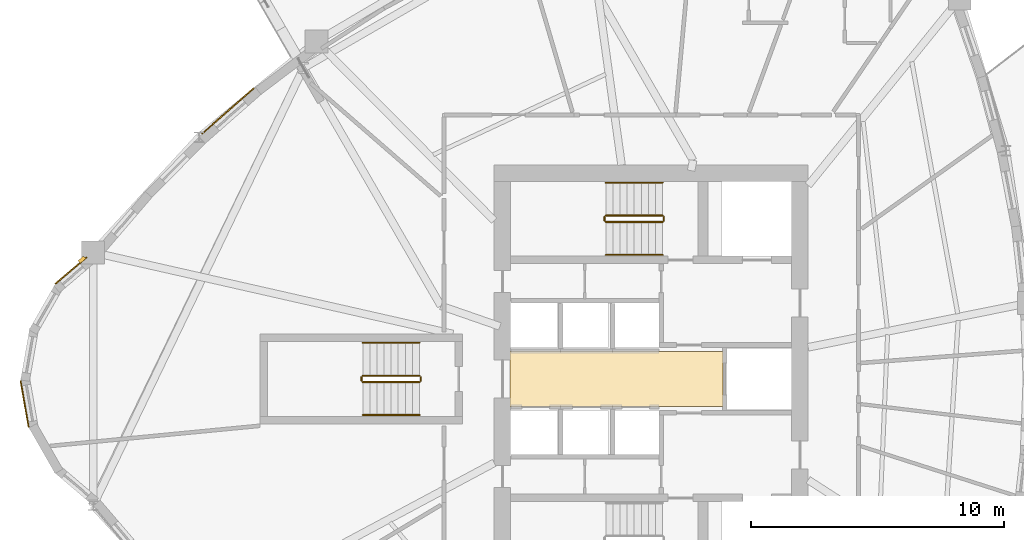
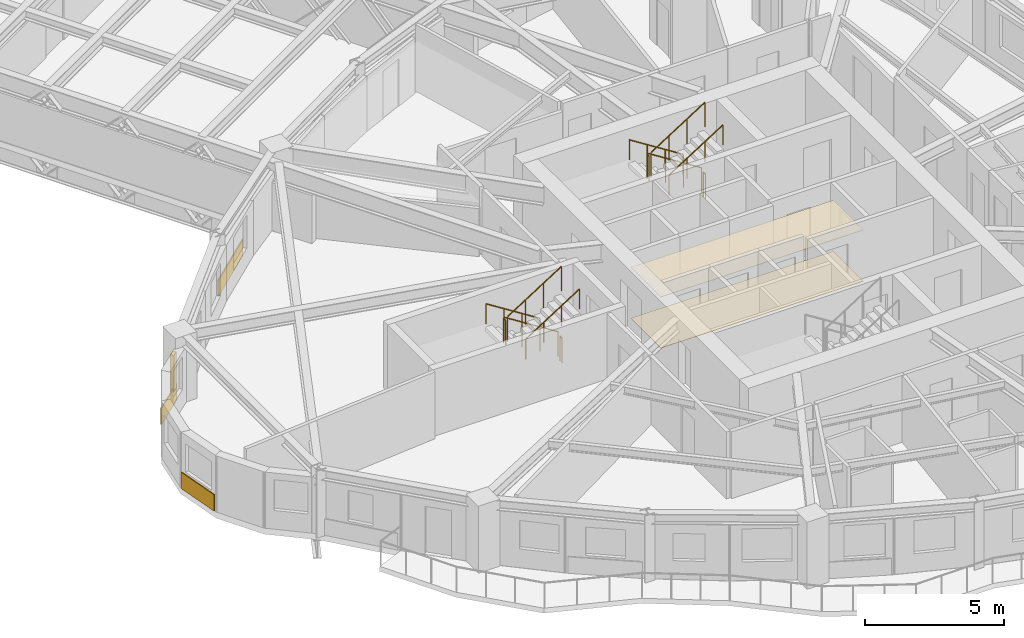
# One storey, part 14 of 16: 12 railings, 5 coverings, 1 shading device.
"""IFC4 building model written with IfcOpenShell, lengths in metres."""

from ifc_helpers import new_model, si_unit, direction, frame, origin, origin_2d, place, context, subcontext, project, spatial, polyline, rectangle, circle, outline, extrude, source, transform, mapped, material, layer, layer_set, type_object, element, save


model = new_model("IFC4")

# Units and contexts
model_context = context("Model", 3, precision=1e-05, world=origin(), true_north=direction((0.0, 1.0)))
body_context = subcontext(model_context, "Body", "Model", "MODEL_VIEW")
ifc_project = project(units=[si_unit("LENGTHUNIT", "METRE"), si_unit("AREAUNIT", "SQUARE_METRE"), si_unit("VOLUMEUNIT", "CUBIC_METRE"), si_unit("PLANEANGLEUNIT", "RADIAN"), si_unit("MASSUNIT", "GRAM", prefix="KILO")], contexts=[model_context])

# Site, building, storey
site_placement = place(None, origin())
site = spatial("IfcSite", under=ifc_project, at=site_placement, CompositionType="ELEMENT")
building_placement = place(site_placement, origin())
building = spatial("IfcBuilding", under=site, at=building_placement, Name="Qafzar Sky-Pleat Residences", CompositionType="ELEMENT")
storey_placement = place(building_placement, frame((0.0, 0.0, 80.0)))
storey = spatial("IfcBuildingStorey", under=building, at=storey_placement, Name="L23", CompositionType="ELEMENT", Elevation=80.0)

# Coverings
ifc_material_1 = material(Name="Perforated acoustic gypsum board ceiling")
ifc_layer_1 = layer(ifc_material_1, 0.02001953125)
ifc_layer_set_1 = layer_set([ifc_layer_1], Name="Perforated acoustic gypsum board ceiling")
covering_type_1 = type_object("IfcCoveringType", Name="COV-CEIL-ACOUSTIC", PredefinedType="CEILING", material=ifc_layer_set_1)
covering_1_placement = place(storey_placement, frame((0.0, 0.0, 2.239990234375)))
element("IfcCovering", 1, at=covering_1_placement, inside=storey, type_object=covering_type_1, Name="L23 Passenger Lift Lobby Acoustic Ceiling", PredefinedType="CEILING", context=body_context, shape_type="SweptSolid", body=[
    extrude(outline(polyline([(33.179931640625, 24.919921875), (24.77001953125, 24.919921875), (24.77001953125, 27.080078125), (33.179931640625, 27.080078125), (33.179931640625, 24.919921875)])), origin(), (0.0, 0.0, 1.0), 0.02001953125),
])
ifc_material_2 = material(Name="Honed porcelain and Riyadh stone tile flooring", Category="masonry")
ifc_layer_2 = layer(ifc_material_2, 0.02001953125)
ifc_layer_set_2 = layer_set([ifc_layer_2], Name="Honed porcelain and Riyadh stone tile flooring")
covering_type_2 = type_object("IfcCoveringType", Name="COV-FLR-PORCELAIN", PredefinedType="FLOORING", material=ifc_layer_set_2)
covering_2_placement = place(storey_placement, origin())
element("IfcCovering", 2, at=covering_2_placement, inside=storey, type_object=covering_type_2, Name="L23 Passenger Lift Lobby Honed Stone Flooring", PredefinedType="FLOORING", context=body_context, shape_type="SweptSolid", body=[
    extrude(outline(polyline([(33.179931640625, 24.919921875), (24.77001953125, 24.919921875), (24.77001953125, 27.080078125), (33.179931640625, 27.080078125), (33.179931640625, 24.919921875)])), origin(), (0.0, 0.0, 1.0), 0.02001953125),
])

# Shading device
ifc_material_3 = material(Name="Honed Riyadh limestone solar fin", Category="masonry")
ifc_layer_3 = layer(ifc_material_3, 0.139892578125)
ifc_layer_set_3 = layer_set([ifc_layer_3], Name="Honed Riyadh limestone solar fin")
shading_device_type = type_object("IfcShadingDeviceType", Name="SHD-FIN-STONE", PredefinedType="SHUTTER", material=ifc_layer_set_3)
shared_shape_1 = source(origin(), body_context, "Body", "SweptSolid", [
    extrude(rectangle(XDim=0.139892578125, YDim=0.280029296875, at=origin_2d()), origin(), (0.0, 0.0, 1.0), 1.60009765625),
])
shading_device_placement = place(storey_placement, frame((7.872314453125, 30.708740234375, 0.599853515625), z_axis=(0.0, 0.0, 1.0), x_axis=(-0.648553503037, 0.761169070377, 0.0)))
element("IfcShadingDevice", 3, at=shading_device_placement, inside=storey, type_object=shading_device_type, Name="L23 Limestone Solar Fin 1", PredefinedType="SHUTTER", context=body_context, shape_type="MappedRepresentation", body=[
    mapped(shared_shape_1, transform((0.0, 0.0, 0.0), x_axis=(1.0, 0.0, 0.0), y_axis=(0.0, 1.0, 0.0), z_axis=(0.0, 0.0, 1.0), scale=1.0)),
])

# Coverings
ifc_material_4 = material(Name="Honed Riyadh Tuwaiq limestone cladding", Category="masonry")
ifc_layer_4 = layer(ifc_material_4, 0.044921875)
ifc_layer_set_4 = layer_set([ifc_layer_4], Name="Honed Riyadh Tuwaiq limestone cladding")
covering_type_3 = type_object("IfcCoveringType", Name="COV-CLAD-STONE", PredefinedType="CLADDING", material=ifc_layer_set_4)
shared_shape_2 = source(origin(), body_context, "Body", "SweptSolid", [
    extrude(rectangle(XDim=1.629150390625, YDim=0.044921875, at=origin_2d()), origin(), (0.0, 0.0, 1.0), 0.719970703125),
])
covering_3_placement = place(storey_placement, frame((7.43603515625, 30.2802734375, 0.02001953125), z_axis=(0.0, 0.0, 1.0), x_axis=(-0.761160395249, -0.648563684386, 0.0)))
element("IfcCovering", 4, at=covering_3_placement, inside=storey, type_object=covering_type_3, Name="L23 Riyadh Limestone Spandrel Cladding 1", PredefinedType="CLADDING", context=body_context, shape_type="MappedRepresentation", body=[
    mapped(shared_shape_2, transform((0.0, 0.0, 0.0), x_axis=(1.0, 0.0, 0.0), y_axis=(0.0, 1.0, 0.0), z_axis=(0.0, 0.0, 1.0), scale=1.0)),
])
shared_shape_3 = source(origin(), body_context, "Body", "SweptSolid", [
    extrude(rectangle(XDim=1.86572265625, YDim=0.044921875, at=origin_2d()), origin(), (0.0, 0.0, 1.0), 0.719970703125),
])
covering_4_placement = place(storey_placement, frame((5.606201171875, 25.0126953125, 0.02001953125), z_axis=(0.0, 0.0, 1.0), x_axis=(0.172161515838, -0.985068734893, 0.0)))
element("IfcCovering", 5, at=covering_4_placement, inside=storey, type_object=covering_type_3, Name="L23 Riyadh Limestone Spandrel Cladding 4", PredefinedType="CLADDING", context=body_context, shape_type="MappedRepresentation", body=[
    mapped(shared_shape_3, transform((0.0, 0.0, 0.0), x_axis=(1.0, 0.0, 0.0), y_axis=(0.0, 1.0, 0.0), z_axis=(0.0, 0.0, 1.0), scale=1.0)),
])
shared_shape_4 = source(origin(), body_context, "Body", "SweptSolid", [
    extrude(rectangle(XDim=2.7255859375, YDim=0.044921875, at=origin_2d()), origin(), (0.0, 0.0, 1.0), 0.719970703125),
])
covering_5_placement = place(storey_placement, frame((13.631103515625, 36.577880859375, 0.02001953125), z_axis=(0.0, 0.0, 1.0), x_axis=(-0.751516092069, -0.65971475909, 0.0)))
element("IfcCovering", 6, at=covering_5_placement, inside=storey, type_object=covering_type_3, Name="L23 Riyadh Limestone Spandrel Cladding 46", PredefinedType="CLADDING", context=body_context, shape_type="MappedRepresentation", body=[
    mapped(shared_shape_4, transform((0.0, 0.0, 0.0), x_axis=(1.0, 0.0, 0.0), y_axis=(0.0, 1.0, 0.0), z_axis=(0.0, 0.0, 1.0), scale=1.0)),
])

# Railings
ifc_material_5 = material(Name="Painted Steel S355 stair guardrail", Category="steel")
railing_type_1 = type_object("IfcRailingType", Name="RAIL-STAIR-GUARD", PredefinedType="GUARDRAIL", material=ifc_material_5)
shared_shape_5 = source(origin(), body_context, "Body", "SweptSolid", [
    extrude(circle(Radius=0.02392578125, at=origin_2d()), frame((0.0, 0.0, 1.076171875), z_axis=(0.0, -1.0, 0.0), x_axis=(1.0, 0.0, 0.0)), (0.0, 0.0, 1.0), 0.14990234375),
    extrude(circle(Radius=0.02099609375, at=origin_2d()), origin(), (0.0, 0.0, 1.0), 1.052001953125),
    extrude(circle(Radius=0.02099609375, at=origin_2d()), frame((0.0, -0.14990234375, 0.0)), (0.0, 0.0, 1.0), 1.052001953125),
])
for number, where, name in (
    (7, (28.510009765625, 32.39990234375, 1.60009765625), "L23 ST2 stair guard 2"),
    (8, (30.85009765625, 32.39990234375, 0.0), "L23 ST2 stair guard 4"),
    (9, (18.909912109375, 26.074951171875, 1.60009765625), "L23 ST3 stair guard 2"),
    (10, (21.25, 26.074951171875, 0.0), "L23 ST3 stair guard 4"),
):
    element("IfcRailing", number, at=place(storey_placement, frame(where)), inside=storey, type_object=railing_type_1, Name=name, PredefinedType="GUARDRAIL", context=body_context, shape_type="MappedRepresentation", body=[
        mapped(shared_shape_5, transform((0.0, 0.0, 0.0), x_axis=(1.0, 0.0, 0.0), y_axis=(0.0, 1.0, 0.0), z_axis=(0.0, 0.0, 1.0), scale=1.0)),
    ])
shared_shape_6 = source(origin(), body_context, "Body", "SweptSolid", [
    extrude(circle(Radius=0.02392578125, at=origin_2d()), frame((0.0, 0.0, 1.076171875), z_axis=(0.8442293374, 0.0, 0.53598211339), x_axis=(0.0, 1.0, 0.0)), (0.0, 0.0, 1.0), 2.6533203125),
    extrude(circle(Radius=0.02099609375, at=origin_2d()), origin(), (0.0, 0.0, 1.0), 1.052001953125),
    extrude(circle(Radius=0.02099609375, at=origin_2d()), frame((0.74658203125, 0.0, 0.47412109375)), (0.0, 0.0, 1.0), 1.052001953125),
    extrude(circle(Radius=0.02099609375, at=origin_2d()), frame((1.493408203125, 0.0, 0.947998046875)), (0.0, 0.0, 1.0), 1.052001953125),
    extrude(circle(Radius=0.02099609375, at=origin_2d()), frame((2.239990234375, 0.0, 1.422119140625)), (0.0, 0.0, 1.0), 1.052001953125),
])
for number, where, name in (
    (11, (28.56005859375, 32.199951171875, 1.77783203125), "L23 ST2 stair guard 3"),
    (12, (18.9599609375, 25.875, 1.77783203125), "L23 ST3 stair guard 3"),
):
    element("IfcRailing", number, at=place(storey_placement, frame(where)), inside=storey, type_object=railing_type_1, Name=name, PredefinedType="GUARDRAIL", context=body_context, shape_type="MappedRepresentation", body=[
        mapped(shared_shape_6, transform((0.0, 0.0, 0.0), x_axis=(1.0, 0.0, 0.0), y_axis=(0.0, 1.0, 0.0), z_axis=(0.0, 0.0, 1.0), scale=1.0)),
    ])
ifc_material_6 = material(Name="Brushed stainless steel handrail", Category="steel")
railing_type_2 = type_object("IfcRailingType", Name="RAIL-STAIR-HAND", PredefinedType="HANDRAIL", material=ifc_material_6)
shared_shape_7 = source(origin(), body_context, "Body", "SweptSolid", [
    extrude(circle(Radius=0.02392578125, at=origin_2d()), frame((0.0, 0.0, 0.8759765625), z_axis=(0.8442293374, 0.0, 0.53598211339), x_axis=(0.0, 1.0, 0.0)), (0.0, 0.0, 1.0), 2.6533203125),
    extrude(circle(Radius=0.02099609375, at=origin_2d()), origin(), (0.0, 0.0, 1.0), 0.851806640625),
    extrude(circle(Radius=0.02099609375, at=origin_2d()), frame((0.74658203125, 0.0, 0.47412109375)), (0.0, 0.0, 1.0), 0.851806640625),
    extrude(circle(Radius=0.02099609375, at=origin_2d()), frame((1.493408203125, 0.0, 0.947998046875)), (0.0, 0.0, 1.0), 0.851806640625),
    extrude(circle(Radius=0.02099609375, at=origin_2d()), frame((2.239990234375, 0.0, 1.422119140625)), (0.0, 0.0, 1.0), 0.851806640625),
])
for number, where, name in (
    (13, (28.56005859375, 30.89990234375, 1.77783203125), "L23 ST2 stair handrail 2"),
    (14, (18.9599609375, 24.574951171875, 1.77783203125), "L23 ST3 stair handrail 2"),
):
    element("IfcRailing", number, at=place(storey_placement, frame(where)), inside=storey, type_object=railing_type_2, Name=name, PredefinedType="HANDRAIL", context=body_context, shape_type="MappedRepresentation", body=[
        mapped(shared_shape_7, transform((0.0, 0.0, 0.0), x_axis=(1.0, 0.0, 0.0), y_axis=(0.0, 1.0, 0.0), z_axis=(0.0, 0.0, 1.0), scale=1.0)),
    ])
shared_shape_8 = source(origin(), body_context, "Body", "SweptSolid", [
    extrude(circle(Radius=0.02392578125, at=origin_2d()), frame((0.0, 0.0, 1.076171875), z_axis=(-0.84418770128, 0.0, 0.536047689118), x_axis=(0.0, -1.0, 0.0)), (0.0, 0.0, 1.0), 2.6533203125),
    extrude(circle(Radius=0.02099609375, at=origin_2d()), origin(), (0.0, 0.0, 1.0), 1.052001953125),
    extrude(circle(Radius=0.02099609375, at=origin_2d()), frame((-0.74658203125, 0.0, 0.47412109375)), (0.0, 0.0, 1.0), 1.052001953125),
    extrude(circle(Radius=0.02099609375, at=origin_2d()), frame((-1.493408203125, 0.0, 0.9482421875)), (0.0, 0.0, 1.0), 1.052001953125),
    extrude(circle(Radius=0.02099609375, at=origin_2d()), frame((-2.239990234375, 0.0, 1.42236328125)), (0.0, 0.0, 1.0), 1.052001953125),
])
for number, where, name in (
    (15, (30.800048828125, 32.449951171875, 0.177734375), "L23 ST2 stair guard 1"),
    (16, (21.199951171875, 26.125, 0.177734375), "L23 ST3 stair guard 1"),
):
    element("IfcRailing", number, at=place(storey_placement, frame(where)), inside=storey, type_object=railing_type_1, Name=name, PredefinedType="GUARDRAIL", context=body_context, shape_type="MappedRepresentation", body=[
        mapped(shared_shape_8, transform((0.0, 0.0, 0.0), x_axis=(1.0, 0.0, 0.0), y_axis=(0.0, 1.0, 0.0), z_axis=(0.0, 0.0, 1.0), scale=1.0)),
    ])
shared_shape_9 = source(origin(), body_context, "Body", "SweptSolid", [
    extrude(circle(Radius=0.02392578125, at=origin_2d()), frame((0.0, 0.0, 0.8759765625), z_axis=(-0.84418770128, 0.0, 0.536047689118), x_axis=(0.0, -1.0, 0.0)), (0.0, 0.0, 1.0), 2.6533203125),
    extrude(circle(Radius=0.02099609375, at=origin_2d()), origin(), (0.0, 0.0, 1.0), 0.851806640625),
    extrude(circle(Radius=0.02099609375, at=origin_2d()), frame((-0.74658203125, 0.0, 0.47412109375)), (0.0, 0.0, 1.0), 0.851806640625),
    extrude(circle(Radius=0.02099609375, at=origin_2d()), frame((-1.493408203125, 0.0, 0.9482421875)), (0.0, 0.0, 1.0), 0.851806640625),
    extrude(circle(Radius=0.02099609375, at=origin_2d()), frame((-2.239990234375, 0.0, 1.42236328125)), (0.0, 0.0, 1.0), 0.851806640625),
])
for number, where, name in (
    (17, (30.800048828125, 33.75, 0.177734375), "L23 ST2 stair handrail 1"),
    (18, (21.199951171875, 27.425048828125, 0.177734375), "L23 ST3 stair handrail 1"),
):
    element("IfcRailing", number, at=place(storey_placement, frame(where)), inside=storey, type_object=railing_type_2, Name=name, PredefinedType="HANDRAIL", context=body_context, shape_type="MappedRepresentation", body=[
        mapped(shared_shape_9, transform((0.0, 0.0, 0.0), x_axis=(1.0, 0.0, 0.0), y_axis=(0.0, 1.0, 0.0), z_axis=(0.0, 0.0, 1.0), scale=1.0)),
    ])

save(model, "model.ifc")
